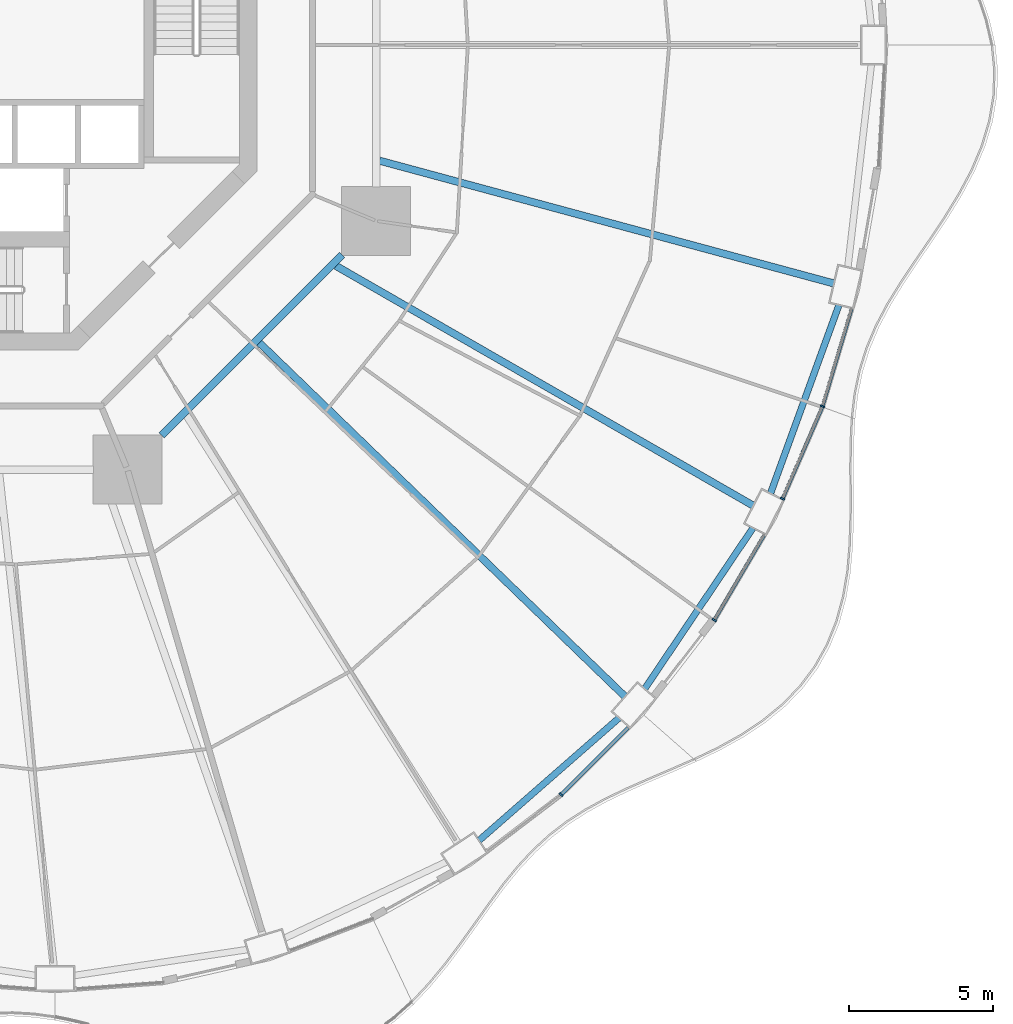
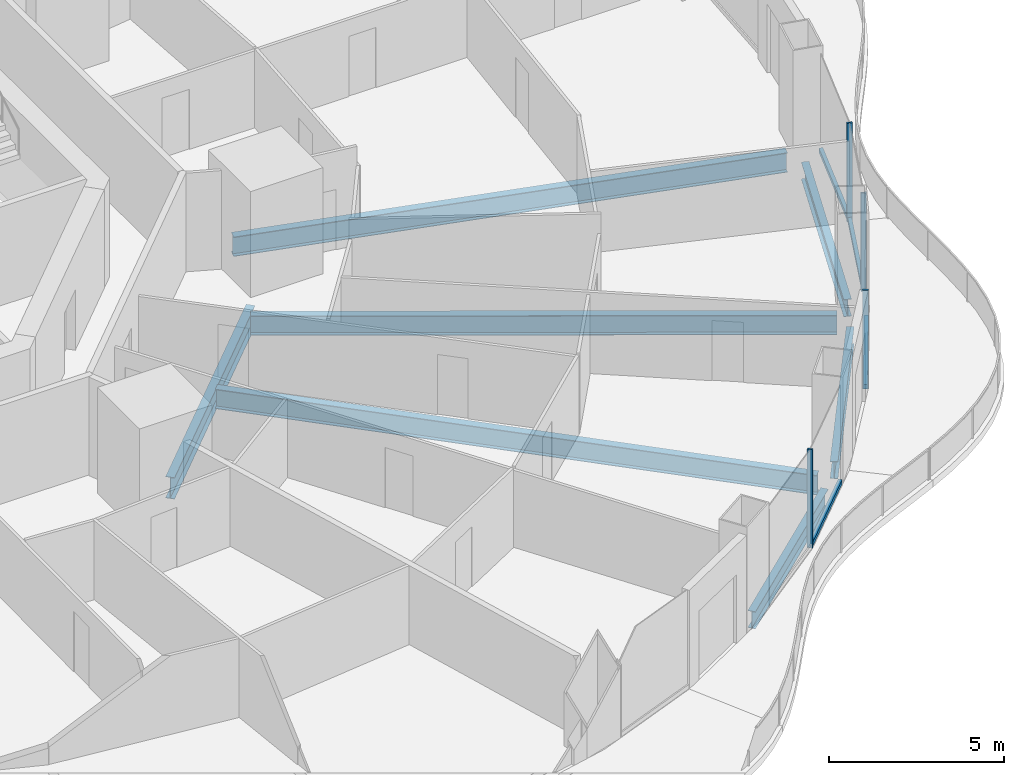
# One storey, part 5 of 23: 8 members, 7 beams, 4 elements without a shape of their own.
"""IFC4 building model written with IfcOpenShell, lengths in metres."""

from ifc_helpers import new_model, si_unit, direction, frame, origin, origin_2d, place, context, subcontext, project, spatial, rectangle, i_section, extrude, material, layer, layer_set, material_profile, profile_set, type_object, element, aggregate, save


model = new_model("IFC4")

# Units and contexts
model_context = context("Model", 3, precision=1e-05, world=origin(), true_north=direction((0.0, 1.0)))
body_context = subcontext(model_context, "Body", "Model", "MODEL_VIEW")
ifc_project = project(units=[si_unit("LENGTHUNIT", "METRE"), si_unit("AREAUNIT", "SQUARE_METRE"), si_unit("VOLUMEUNIT", "CUBIC_METRE"), si_unit("PLANEANGLEUNIT", "RADIAN"), si_unit("MASSUNIT", "GRAM", prefix="KILO")], contexts=[model_context])

# Site, building, storey
site_placement = place(None, origin())
site = spatial("IfcSite", under=ifc_project, at=site_placement, CompositionType="ELEMENT")
building_placement = place(site_placement, origin())
building = spatial("IfcBuilding", under=site, at=building_placement, Name="Nagisa Residences", CompositionType="ELEMENT")
storey_placement = place(building_placement, frame((0.0, 0.0, 56.60009765625)))
storey = spatial("IfcBuildingStorey", under=building, at=storey_placement, Name="L13", CompositionType="ELEMENT", Elevation=56.60009765625)

# Curtain wall, member
ifc_material_1 = material(Name="Concrete-coloured aluminium curtain wall system", Category="concrete")
ifc_layer = layer(ifc_material_1, 0.159912109375)
ifc_layer_set = layer_set([ifc_layer], Name="CW1 CURTAIN WALL")
curtain_wall_type = type_object("IfcCurtainWallType", Name="CW1 CURTAIN WALL", PredefinedType="NOTDEFINED", material=ifc_layer_set)
curtain_wall_1_placement = place(storey_placement, origin())
curtain_wall_1 = element("IfcCurtainWall", 1, at=curtain_wall_1_placement, inside=storey, type_object=curtain_wall_type, Name="cw:CW1:L13:41", PredefinedType="NOTDEFINED")
ifc_material_2 = material(Name="Concrete-coloured aluminium", Category="concrete")
ifc_material_profile_1 = material_profile(ifc_material_2, rectangle(XDim=0.159912109375, YDim=0.06005859375, at=origin_2d()), Name="CW1 MULLION 160x60")
ifc_profile_set_1 = profile_set([ifc_material_profile_1], Name="Concrete-coloured aluminium")
member_type_1 = type_object("IfcMemberType", Name="CW1 MULLION 160x60", PredefinedType="MULLION", material=ifc_profile_set_1)
member_1_placement = place(storey_placement, frame((21.21875, -26.102783203125, 0.0), z_axis=(0.0, 0.0, 1.0), x_axis=(-0.706376885714, 0.707835924016, 0.0)))
member_1 = element("IfcMember", 2, at=member_1_placement, type_object=member_type_1, Name="CW1 mullion", PredefinedType="MULLION", context=body_context, shape_type="SweptSolid", body=[
    extrude(rectangle(XDim=0.159912109375, YDim=0.06005859375, at=origin_2d()), origin(), (0.0, 0.0, 1.0), 3.43994140625),
])

curtain_wall_2_placement = place(storey_placement, origin())
curtain_wall_2 = element("IfcCurtainWall", 3, at=curtain_wall_2_placement, inside=storey, type_object=curtain_wall_type, Name="cw:CW1:L13:43", PredefinedType="NOTDEFINED")
member_2_placement = place(storey_placement, frame((26.553466796875, -20.022705078125, 0.0), z_axis=(0.0, 0.0, 1.0), x_axis=(-0.862328898214, 0.506348567002, 0.0)))
member_2 = element("IfcMember", 4, at=member_2_placement, type_object=member_type_1, Name="CW1 mullion", PredefinedType="MULLION", context=body_context, shape_type="SweptSolid", body=[
    extrude(rectangle(XDim=0.159912109375, YDim=0.06005859375, at=origin_2d()), origin(), (0.0, 0.0, 1.0), 3.43994140625),
])

curtain_wall_3_placement = place(storey_placement, origin())
curtain_wall_3 = element("IfcCurtainWall", 5, at=curtain_wall_3_placement, inside=storey, type_object=curtain_wall_type, Name="cw:CW1:L13:44", PredefinedType="NOTDEFINED")
member_3_placement = place(storey_placement, frame((28.931640625, -15.79833984375, 0.0), z_axis=(0.0, 0.0, 1.0), x_axis=(-0.917543276295, 0.397635934147, 0.0)))
member_3 = element("IfcMember", 6, at=member_3_placement, type_object=member_type_1, Name="CW1 mullion", PredefinedType="MULLION", context=body_context, shape_type="SweptSolid", body=[
    extrude(rectangle(XDim=0.159912109375, YDim=0.06005859375, at=origin_2d()), origin(), (0.0, 0.0, 1.0), 3.43994140625),
])

curtain_wall_4_placement = place(storey_placement, origin())
curtain_wall_4 = element("IfcCurtainWall", 7, at=curtain_wall_4_placement, inside=storey, type_object=curtain_wall_type, Name="cw:CW1:L13:45", PredefinedType="NOTDEFINED")
member_4_placement = place(storey_placement, frame((30.324462890625, -12.576904296875, 0.0), z_axis=(0.0, 0.0, 1.0), x_axis=(-0.958271310082, 0.285860274038, 0.0)))
member_4 = element("IfcMember", 8, at=member_4_placement, type_object=member_type_1, Name="CW1 mullion", PredefinedType="MULLION", context=body_context, shape_type="SweptSolid", body=[
    extrude(rectangle(XDim=0.159912109375, YDim=0.06005859375, at=origin_2d()), origin(), (0.0, 0.0, 1.0), 3.43994140625),
])

# Member
ifc_material_3 = material(Name="Concrete-coloured aluminium", Category="concrete")
ifc_material_profile_2 = material_profile(ifc_material_3, rectangle(XDim=0.1201171875, YDim=0.14990234375, at=origin_2d()), Name="CW1 TRANSOM 120x150")
ifc_profile_set_2 = profile_set([ifc_material_profile_2], Name="Concrete-coloured aluminium")
member_type_2 = type_object("IfcMemberType", Name="CW1 TRANSOM 120x150", PredefinedType="USERDEFINED", material=ifc_profile_set_2)
member_5_placement = place(storey_placement, frame((21.197509765625, -26.1240234375, 0.074951171875), z_axis=(0.707876350734, 0.706336373176, 0.0), x_axis=(-0.706336373176, 0.707876350734, 0.0)))
member_5 = element("IfcMember", 9, at=member_5_placement, type_object=member_type_2, Name="CW1 transom", ObjectType="TRANSOM", PredefinedType="USERDEFINED", context=body_context, shape_type="SweptSolid", body=[
    extrude(rectangle(XDim=0.1201171875, YDim=0.14990234375, at=origin_2d()), origin(), (0.0, 0.0, 1.0), 3.329345703125),
])

aggregate(curtain_wall_1, [member_1, member_5])

member_6_placement = place(storey_placement, frame((26.538330078125, -20.048583984375, 0.074951171875), z_axis=(0.506341951316, 0.862332782827, 0.0), x_axis=(-0.862332782827, 0.506341951316, 0.0)))
member_6 = element("IfcMember", 10, at=member_6_placement, type_object=member_type_2, Name="CW1 transom", ObjectType="TRANSOM", PredefinedType="USERDEFINED", context=body_context, shape_type="SweptSolid", body=[
    extrude(rectangle(XDim=0.1201171875, YDim=0.14990234375, at=origin_2d()), origin(), (0.0, 0.0, 1.0), 3.4619140625),
])

aggregate(curtain_wall_2, [member_2, member_6])

member_7_placement = place(storey_placement, frame((28.919677734375, -15.825927734375, 0.074951171875), z_axis=(0.397624958345, 0.917548032803, 0.0), x_axis=(-0.917548032803, 0.397624958345, 0.0)))
member_7 = element("IfcMember", 11, at=member_7_placement, type_object=member_type_2, Name="CW1 transom", ObjectType="TRANSOM", PredefinedType="USERDEFINED", context=body_context, shape_type="SweptSolid", body=[
    extrude(rectangle(XDim=0.1201171875, YDim=0.14990234375, at=origin_2d()), origin(), (0.0, 0.0, 1.0), 3.51953125),
])

aggregate(curtain_wall_3, [member_3, member_7])

member_8_placement = place(storey_placement, frame((30.31591796875, -12.605712890625, 0.074951171875), z_axis=(0.285871309426, 0.958268018065, 0.0), x_axis=(-0.958268018065, 0.285871309426, 0.0)))
member_8 = element("IfcMember", 12, at=member_8_placement, type_object=member_type_2, Name="CW1 transom", ObjectType="TRANSOM", PredefinedType="USERDEFINED", context=body_context, shape_type="SweptSolid", body=[
    extrude(rectangle(XDim=0.1201171875, YDim=0.14990234375, at=origin_2d()), origin(), (0.0, 0.0, 1.0), 3.5654296875),
])

aggregate(curtain_wall_4, [member_4, member_8])

# Beams
ifc_material_4 = material(Name="Steel ASTM A572 Gr 50", Category="steel")
ifc_material_profile_3 = material_profile(ifc_material_4, i_section(OverallWidth=0.264892578125, OverallDepth=0.7529296875, WebThickness=0.01318359375, FlangeThickness=0.01708984375, at=origin_2d()), Name="W760x147")
ifc_profile_set_3 = profile_set([ifc_material_profile_3], Name="Steel ASTM A572 Gr 50")
beam_type_1 = type_object("IfcBeamType", Name="Inner ring beam W760x147", PredefinedType="BEAM", material=ifc_profile_set_3)
beam_1_placement = place(storey_placement, frame((7.308837890625, -13.59619140625, -0.63671875), z_axis=(0.707106781187, 0.707106781187, 0.0), x_axis=(-0.707106781187, 0.707106781187, 0.0)))
element("IfcBeam", 13, at=beam_1_placement, inside=storey, type_object=beam_type_1, Name="beam:L13:ib7", PredefinedType="BEAM", context=body_context, shape_type="SweptSolid", body=[
    extrude(i_section(OverallWidth=0.264892578125, OverallDepth=0.7529296875, WebThickness=0.01318359375, FlangeThickness=0.01708984375, at=origin_2d()), origin(), (0.0, 0.0, 1.0), 8.8916015625),
])
ifc_material_5 = material(Name="Steel ASTM A572 Gr 50", Category="steel")
ifc_material_profile_4 = material_profile(ifc_material_5, i_section(OverallWidth=0.22802734375, OverallDepth=0.60302734375, WebThickness=0.010498046875, FlangeThickness=0.014892578125, at=origin_2d()), Name="W610x101")
ifc_profile_set_4 = profile_set([ifc_material_profile_4], Name="Steel ASTM A572 Gr 50")
beam_type_2 = type_object("IfcBeamType", Name="Perimeter ring beam W610x101", PredefinedType="BEAM", material=ifc_profile_set_4)
beam_2_placement = place(storey_placement, frame((18.36669921875, -27.693603515625, -0.5615234375), z_axis=(0.7525907186, 0.658488580217, 0.0), x_axis=(-0.658488580217, 0.7525907186, 0.0)))
element("IfcBeam", 14, at=beam_2_placement, inside=storey, type_object=beam_type_2, Name="beam:L13:pb21", PredefinedType="BEAM", context=body_context, shape_type="SweptSolid", body=[
    extrude(i_section(OverallWidth=0.22802734375, OverallDepth=0.60302734375, WebThickness=0.010498046875, FlangeThickness=0.014892578125, at=origin_2d()), origin(), (0.0, 0.0, 1.0), 6.470458984375),
])
beam_3_placement = place(storey_placement, frame((24.135498046875, -22.411865234375, -0.5615234375), z_axis=(0.558271879663, 0.829658067144, 0.0), x_axis=(-0.829658067144, 0.558271879663, 0.0)))
element("IfcBeam", 15, at=beam_3_placement, inside=storey, type_object=beam_type_2, Name="beam:L13:pb22", PredefinedType="BEAM", context=body_context, shape_type="SweptSolid", body=[
    extrude(i_section(OverallWidth=0.22802734375, OverallDepth=0.60302734375, WebThickness=0.010498046875, FlangeThickness=0.014892578125, at=origin_2d()), origin(), (0.0, 0.0, 1.0), 6.74169921875),
])
beam_4_placement = place(storey_placement, frame((28.515625, -15.60595703125, -0.5615234375), z_axis=(0.341411143183, 0.939914055279, 0.0), x_axis=(-0.939914055279, 0.341411143183, 0.0)))
element("IfcBeam", 16, at=beam_4_placement, inside=storey, type_object=beam_type_2, Name="beam:L13:pb23", PredefinedType="BEAM", context=body_context, shape_type="SweptSolid", body=[
    extrude(i_section(OverallWidth=0.22802734375, OverallDepth=0.60302734375, WebThickness=0.010498046875, FlangeThickness=0.014892578125, at=origin_2d()), origin(), (0.0, 0.0, 1.0), 6.96923828125),
])
ifc_material_6 = material(Name="Steel ASTM A572 Gr 50", Category="steel")
ifc_material_profile_5 = material_profile(ifc_material_6, i_section(OverallWidth=0.25390625, OverallDepth=0.68408203125, WebThickness=0.012451171875, FlangeThickness=0.018798828125, at=origin_2d()), Name="W690x140")
ifc_profile_set_5 = profile_set([ifc_material_profile_5], Name="Steel ASTM A572 Gr 50")
beam_type_3 = type_object("IfcBeamType", Name="Radial beam W690x140", PredefinedType="BEAM", material=ifc_profile_set_5)
beam_5_placement = place(storey_placement, frame((23.443115234375, -22.681640625, -0.60205078125), z_axis=(-0.718678305776, 0.695342716081, 0.0), x_axis=(-0.695342716081, -0.718678305776, 0.0)))
element("IfcBeam", 17, at=beam_5_placement, inside=storey, type_object=beam_type_3, Name="beam:L13:rb22", PredefinedType="BEAM", context=body_context, shape_type="SweptSolid", body=[
    extrude(i_section(OverallWidth=0.25390625, OverallDepth=0.68408203125, WebThickness=0.012451171875, FlangeThickness=0.018798828125, at=origin_2d()), origin(), (0.0, 0.0, 1.0), 17.722900390625),
])
beam_6_placement = place(storey_placement, frame((27.908447265625, -16.035400390625, -0.60205078125), z_axis=(-0.867068052258, 0.498189715623, 0.0), x_axis=(-0.498189715623, -0.867068052258, 0.0)))
element("IfcBeam", 18, at=beam_6_placement, inside=storey, type_object=beam_type_3, Name="beam:L13:rb23", PredefinedType="BEAM", context=body_context, shape_type="SweptSolid", body=[
    extrude(i_section(OverallWidth=0.25390625, OverallDepth=0.68408203125, WebThickness=0.012451171875, FlangeThickness=0.018798828125, at=origin_2d()), origin(), (0.0, 0.0, 1.0), 16.758056640625),
])
beam_7_placement = place(storey_placement, frame((30.713623046875, -8.29931640625, -0.60205078125), z_axis=(-0.965375968847, 0.260862490162, 0.0), x_axis=(-0.260862490162, -0.965375968847, 0.0)))
element("IfcBeam", 19, at=beam_7_placement, inside=storey, type_object=beam_type_3, Name="beam:L13:rb24", PredefinedType="BEAM", context=body_context, shape_type="SweptSolid", body=[
    extrude(i_section(OverallWidth=0.25390625, OverallDepth=0.68408203125, WebThickness=0.012451171875, FlangeThickness=0.018798828125, at=origin_2d()), origin(), (0.0, 0.0, 1.0), 16.3857421875),
])

save(model, "model.ifc")
